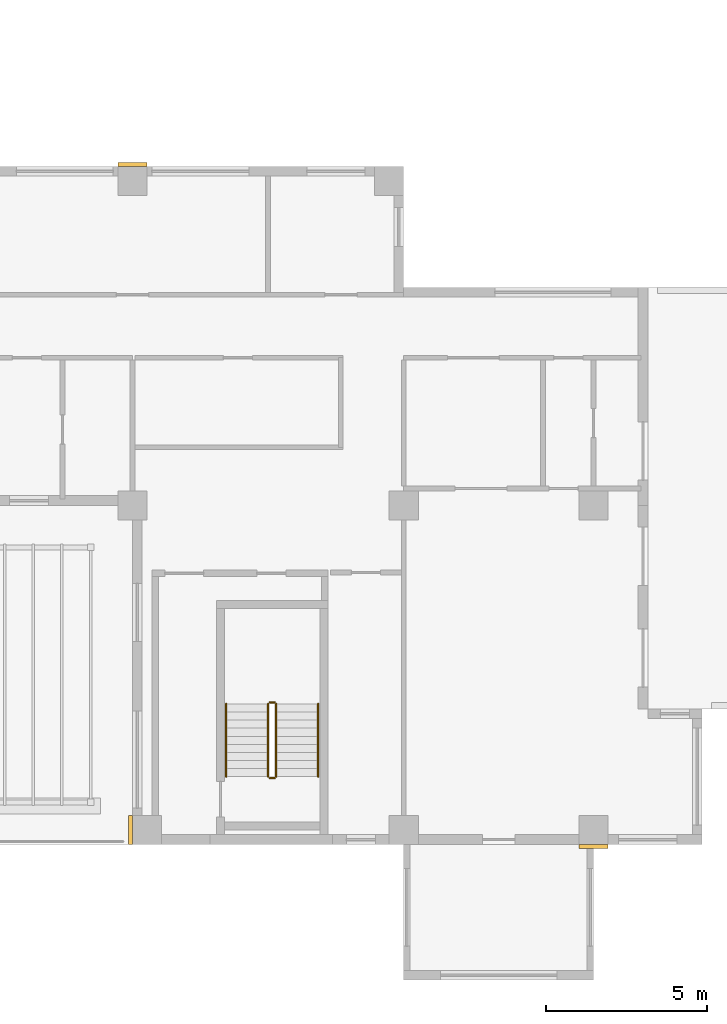
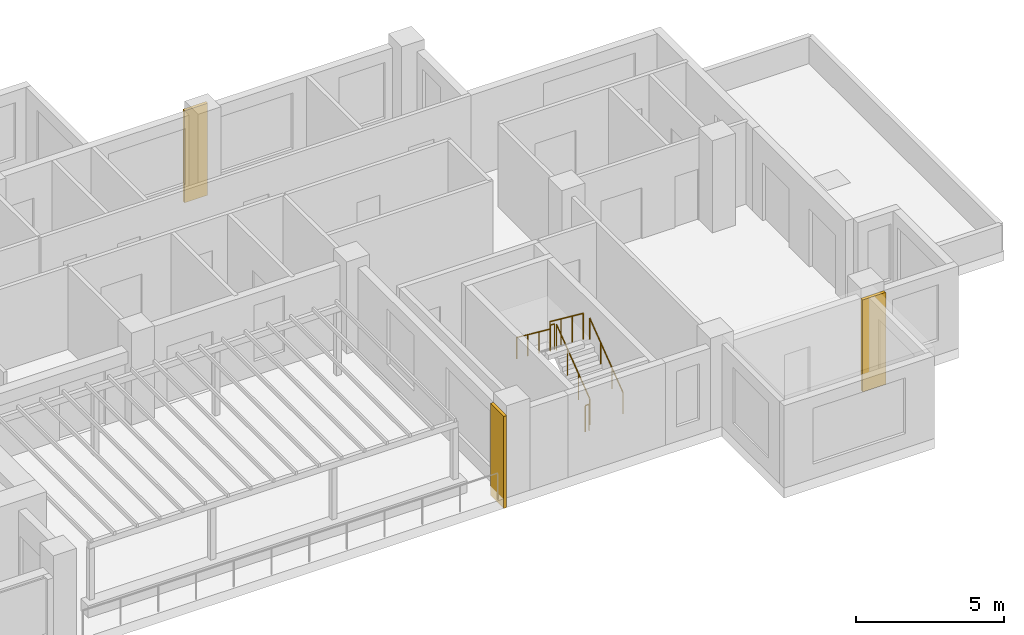
# One storey, part 12 of 13: 6 railings, 3 coverings.
"""IFC4 building model written with IfcOpenShell, lengths in metres."""

from ifc_helpers import new_model, si_unit, direction, frame, origin, origin_2d, place, context, subcontext, project, spatial, rectangle, circle, extrude, source, transform, mapped, material, type_object, element, save


model = new_model("IFC4")

# Units and contexts
model_context = context("Model", 3, precision=1e-05, world=origin(), true_north=direction((0.0, 1.0)))
body_context = subcontext(model_context, "Body", "Model", "MODEL_VIEW")
ifc_project = project(units=[si_unit("LENGTHUNIT", "METRE"), si_unit("AREAUNIT", "SQUARE_METRE"), si_unit("VOLUMEUNIT", "CUBIC_METRE"), si_unit("PLANEANGLEUNIT", "RADIAN"), si_unit("MASSUNIT", "GRAM", prefix="KILO")], contexts=[model_context])

# Site, building, storey
site_placement = place(None, origin())
site = spatial("IfcSite", under=ifc_project, at=site_placement, CompositionType="ELEMENT")
building_placement = place(site_placement, origin())
building = spatial("IfcBuilding", under=site, at=building_placement, Name="Aurelian Terraces", CompositionType="ELEMENT")
storey_placement = place(building_placement, frame((0.0, 0.0, 204.4)))
storey = spatial("IfcBuildingStorey", under=building, at=storey_placement, Name="L45", CompositionType="ELEMENT", Elevation=204.4)

# Coverings
ifc_material_1 = material(Name="Terracotta rainscreen cladding relief", Category="masonry")
covering_type = type_object("IfcCoveringType", Name="BAGUETTE-TC", PredefinedType="CLADDING", material=ifc_material_1)
shared_shape_1 = source(origin(), body_context, "Body", "SweptSolid", [
    extrude(rectangle(XDim=0.9, YDim=0.12, at=origin_2d()), origin(), (0.0, 0.0, 1.0), 3.8),
])
for number, where, z_axis, x_axis, name in (
    (1, (52.08, -0.06, -0.4), (0.0, 0.0, 1.0), (1.0, 0.0, 0.0), "BAGUETTE pier L45 3"),
    (2, (37.8, 21.06, -0.4), (0.0, 0.0, 1.0), (1.0, 0.0, 0.0), "BAGUETTE pier L45 5"),
):
    element("IfcCovering", number, at=place(storey_placement, frame(where, z_axis=z_axis, x_axis=x_axis)), inside=storey, type_object=covering_type, Name=name, PredefinedType="CLADDING", context=body_context, shape_type="MappedRepresentation", body=[
        mapped(shared_shape_1, transform((0.0, 0.0, 0.0), scale=1.0)),
    ])
shared_shape_2 = source(origin(), body_context, "Body", "SweptSolid", [
    extrude(rectangle(XDim=0.12, YDim=0.9, at=origin_2d()), origin(), (0.0, 0.0, 1.0), 3.8),
])
covering_placement = place(storey_placement, frame((37.74, 0.45, -0.4), z_axis=(0.0, 0.0, 1.0), x_axis=(1.0, 0.0, 0.0)))
element("IfcCovering", 3, at=covering_placement, inside=storey, type_object=covering_type, Name="BAGUETTE pier L45 2", PredefinedType="CLADDING", context=body_context, shape_type="MappedRepresentation", body=[
    mapped(shared_shape_2, transform((0.0, 0.0, 0.0), scale=1.0)),
])

# Railings
ifc_material_2 = material(Name="Stainless steel", Category="steel")
railing_type_1 = type_object("IfcRailingType", Name="Stair guard 1100", PredefinedType="GUARDRAIL", material=ifc_material_2)
shared_shape_3 = source(origin(), body_context, "Body", "SweptSolid", [
    extrude(circle(Radius=0.024, at=origin_2d()), frame((0.0, 0.0, 1.076), z_axis=(-1.0, 0.0, 0.0), x_axis=(0.0, -1.0, 0.0)), (0.0, 0.0, 1.0), 0.15),
    extrude(circle(Radius=0.021, at=origin_2d()), origin(), (0.0, 0.0, 1.0), 1.052),
    extrude(circle(Radius=0.021, at=origin_2d()), frame((-0.15, 0.0, 0.0)), (0.0, 0.0, 1.0), 1.052),
])
for number, where, name in (
    (4, (42.2, 4.4, 1.9), "L45 S2 stair guard 2"),
    (5, (42.2, 2.05, 0.0), "L45 S2 stair guard 4"),
):
    element("IfcRailing", number, at=place(storey_placement, frame(where)), inside=storey, type_object=railing_type_1, Name=name, PredefinedType="GUARDRAIL", context=body_context, shape_type="MappedRepresentation", body=[
        mapped(shared_shape_3, transform((0.0, 0.0, 0.0), scale=1.0)),
    ])
shared_shape_4 = source(origin(), body_context, "Body", "SweptSolid", [
    extrude(circle(Radius=0.024, at=origin_2d()), frame((0.0, 0.0, 1.076), z_axis=(0.0, 0.796162194123, 0.605083267534), x_axis=(-1.0, 0.0, 0.0)), (0.0, 0.0, 1.0), 2.8261),
    extrude(circle(Radius=0.021, at=origin_2d()), origin(), (0.0, 0.0, 1.0), 1.052),
    extrude(circle(Radius=0.021, at=origin_2d()), frame((0.0, 0.75, 0.57)), (0.0, 0.0, 1.0), 1.052),
    extrude(circle(Radius=0.021, at=origin_2d()), frame((0.0, 1.5, 1.14)), (0.0, 0.0, 1.0), 1.052),
    extrude(circle(Radius=0.021, at=origin_2d()), frame((0.0, 2.25, 1.71)), (0.0, 0.0, 1.0), 1.052),
])
railing_1_placement = place(storey_placement, frame((42.25, 2.1, 0.19)))
element("IfcRailing", 6, at=railing_1_placement, inside=storey, type_object=railing_type_1, Name="L45 S2 stair guard 1", PredefinedType="GUARDRAIL", context=body_context, shape_type="MappedRepresentation", body=[
    mapped(shared_shape_4, transform((0.0, 0.0, 0.0), scale=1.0)),
])
shared_shape_5 = source(origin(), body_context, "Body", "SweptSolid", [
    extrude(circle(Radius=0.024, at=origin_2d()), frame((0.0, 0.0, 1.076), z_axis=(0.0, -0.796162194123, 0.605083267534), x_axis=(1.0, 0.0, 0.0)), (0.0, 0.0, 1.0), 2.8261),
    extrude(circle(Radius=0.021, at=origin_2d()), origin(), (0.0, 0.0, 1.0), 1.052),
    extrude(circle(Radius=0.021, at=origin_2d()), frame((0.0, -0.75, 0.57)), (0.0, 0.0, 1.0), 1.052),
    extrude(circle(Radius=0.021, at=origin_2d()), frame((0.0, -1.5, 1.14)), (0.0, 0.0, 1.0), 1.052),
    extrude(circle(Radius=0.021, at=origin_2d()), frame((0.0, -2.25, 1.71)), (0.0, 0.0, 1.0), 1.052),
])
railing_2_placement = place(storey_placement, frame((42.0, 4.35, 2.09)))
element("IfcRailing", 7, at=railing_2_placement, inside=storey, type_object=railing_type_1, Name="L45 S2 stair guard 3", PredefinedType="GUARDRAIL", context=body_context, shape_type="MappedRepresentation", body=[
    mapped(shared_shape_5, transform((0.0, 0.0, 0.0), scale=1.0)),
])
railing_type_2 = type_object("IfcRailingType", Name="Stair handrail", PredefinedType="HANDRAIL", material=ifc_material_2)
shared_shape_6 = source(origin(), body_context, "Body", "SweptSolid", [
    extrude(circle(Radius=0.024, at=origin_2d()), frame((0.0, 0.0, 0.876), z_axis=(0.0, 0.796162194123, 0.605083267534), x_axis=(-1.0, 0.0, 0.0)), (0.0, 0.0, 1.0), 2.8261),
    extrude(circle(Radius=0.021, at=origin_2d()), origin(), (0.0, 0.0, 1.0), 0.852),
    extrude(circle(Radius=0.021, at=origin_2d()), frame((0.0, 0.75, 0.57)), (0.0, 0.0, 1.0), 0.852),
    extrude(circle(Radius=0.021, at=origin_2d()), frame((0.0, 1.5, 1.14)), (0.0, 0.0, 1.0), 0.852),
    extrude(circle(Radius=0.021, at=origin_2d()), frame((0.0, 2.25, 1.71)), (0.0, 0.0, 1.0), 0.852),
])
railing_3_placement = place(storey_placement, frame((43.55, 2.1, 0.19)))
element("IfcRailing", 8, at=railing_3_placement, inside=storey, type_object=railing_type_2, Name="L45 S2 stair handrail 1", PredefinedType="HANDRAIL", context=body_context, shape_type="MappedRepresentation", body=[
    mapped(shared_shape_6, transform((0.0, 0.0, 0.0), scale=1.0)),
])
shared_shape_7 = source(origin(), body_context, "Body", "SweptSolid", [
    extrude(circle(Radius=0.024, at=origin_2d()), frame((0.0, 0.0, 0.876), z_axis=(0.0, -0.796162194123, 0.605083267534), x_axis=(1.0, 0.0, 0.0)), (0.0, 0.0, 1.0), 2.8261),
    extrude(circle(Radius=0.021, at=origin_2d()), origin(), (0.0, 0.0, 1.0), 0.852),
    extrude(circle(Radius=0.021, at=origin_2d()), frame((0.0, -0.75, 0.57)), (0.0, 0.0, 1.0), 0.852),
    extrude(circle(Radius=0.021, at=origin_2d()), frame((0.0, -1.5, 1.14)), (0.0, 0.0, 1.0), 0.852),
    extrude(circle(Radius=0.021, at=origin_2d()), frame((0.0, -2.25, 1.71)), (0.0, 0.0, 1.0), 0.852),
])
railing_4_placement = place(storey_placement, frame((40.7, 4.35, 2.09)))
element("IfcRailing", 9, at=railing_4_placement, inside=storey, type_object=railing_type_2, Name="L45 S2 stair handrail 2", PredefinedType="HANDRAIL", context=body_context, shape_type="MappedRepresentation", body=[
    mapped(shared_shape_7, transform((0.0, 0.0, 0.0), scale=1.0)),
])

save(model, "model.ifc")
